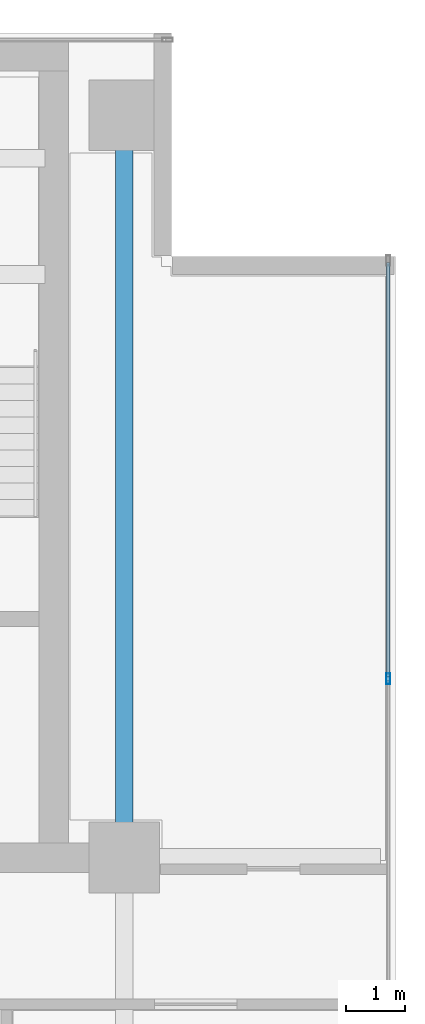
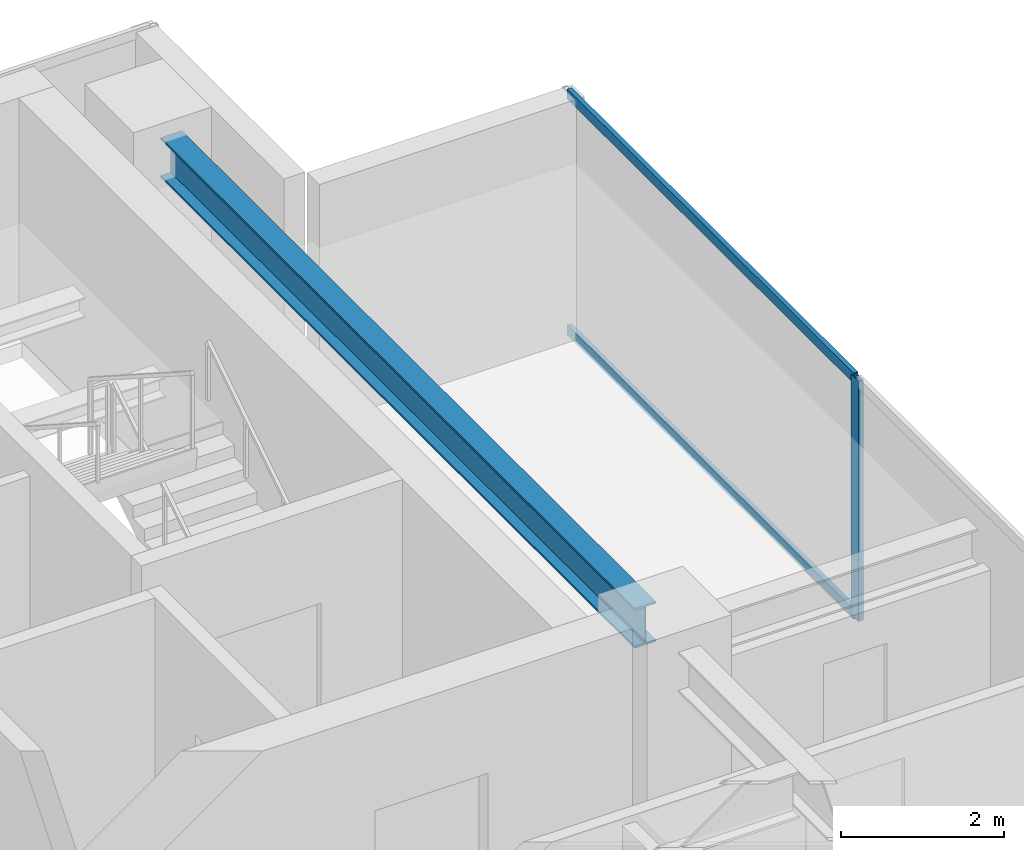
# One storey, part 10 of 21: 3 members, 1 beam, 1 element without a shape of its own.
"""IFC4 building model written with IfcOpenShell, lengths in metres."""

from ifc_helpers import new_model, si_unit, direction, frame, origin, origin_2d, place, context, subcontext, project, spatial, hollow_rectangle, i_section, extrude, source, transform, mapped, material, layer, layer_set, material_profile, profile_set, type_object, element, aggregate, save


model = new_model("IFC4")

# Units and contexts
model_context = context("Model", 3, precision=1e-05, world=origin(), true_north=direction((0.0, 1.0)))
body_context = subcontext(model_context, "Body", "Model", "MODEL_VIEW")
ifc_project = project(units=[si_unit("LENGTHUNIT", "METRE"), si_unit("AREAUNIT", "SQUARE_METRE"), si_unit("VOLUMEUNIT", "CUBIC_METRE"), si_unit("PLANEANGLEUNIT", "RADIAN"), si_unit("MASSUNIT", "GRAM", prefix="KILO")], contexts=[model_context])

# Site, building, storey
site_placement = place(None, origin())
site = spatial("IfcSite", under=ifc_project, at=site_placement, CompositionType="ELEMENT")
building_placement = place(site_placement, origin())
building = spatial("IfcBuilding", under=site, at=building_placement, Name="Sumidabori Civic Tower", CompositionType="ELEMENT")
storey_placement = place(building_placement, frame((0.0, 0.0, 290.0)))
storey = spatial("IfcBuildingStorey", under=building, at=storey_placement, Name="L76", CompositionType="ELEMENT", Elevation=290.0)

# Beam
ifc_material_1 = material(Name="Steel SN490", Category="steel")
ifc_material_profile_1 = material_profile(ifc_material_1, i_section(OverallWidth=0.300048828125, OverallDepth=0.60009765625, WebThickness=0.015380859375, FlangeThickness=0.030029296875, at=origin_2d()), Name="HE 600 B")
ifc_profile_set_1 = profile_set([ifc_material_profile_1], Name="Steel SN490")
beam_type = type_object("IfcBeamType", Name="BM-GIRD-600", PredefinedType="BEAM", material=ifc_profile_set_1)
shared_shape_1 = source(origin(), body_context, "Body", "SweptSolid", [
    extrude(i_section(OverallWidth=0.300048828125, OverallDepth=0.60009765625, WebThickness=0.015380859375, FlangeThickness=0.030029296875, at=origin_2d()), origin(), (0.0, 0.0, 1.0), 11.64013671875),
])
beam_placement = place(storey_placement, frame((16.800048828125, 10.679931640625, 3.0), z_axis=(0.0, 1.0, 0.0), x_axis=(-1.0, 0.0, 0.0)))
element("IfcBeam", 1, at=beam_placement, inside=storey, type_object=beam_type, Name="Primary Girder L76 GY-17", PredefinedType="BEAM", context=body_context, shape_type="MappedRepresentation", body=[
    mapped(shared_shape_1, transform((0.0, 0.0, 0.0), x_axis=(1.0, 0.0, 0.0), y_axis=(0.0, 1.0, 0.0), z_axis=(0.0, 0.0, 1.0), scale=1.0)),
])

# Curtain wall, members
ifc_material_2 = material(Name="Anodised Bronze Aluminium AW-6063-T6", Category="aluminium")
ifc_layer = layer(ifc_material_2, 0.179931640625, Name="Anodised Bronze Aluminium AW-6063-T6")
ifc_layer_set = layer_set([ifc_layer], Name="Anodised Bronze Aluminium AW-6063-T6")
curtain_wall_type = type_object("IfcCurtainWallType", Name="CW-SYS-6", PredefinedType="NOTDEFINED", material=ifc_layer_set)
curtain_wall_placement = place(storey_placement, origin())
curtain_wall = element("IfcCurtainWall", 2, at=curtain_wall_placement, inside=storey, type_object=curtain_wall_type, Name="Curtain Wall CW:L76:R04", PredefinedType="NOTDEFINED")
ifc_material_profile_2 = material_profile(ifc_material_2, hollow_rectangle(XDim=0.06494140625, YDim=0.14990234375, WallThickness=0.0048828125, at=origin_2d()), Name="ALU TRANSOM 150x65")
ifc_profile_set_2 = profile_set([ifc_material_profile_2], Name="Anodised Bronze Aluminium AW-6063-T6")
member_type_1 = type_object("IfcMemberType", Name="CW-TRN-150", PredefinedType="USERDEFINED", material=ifc_profile_set_2)
shared_shape_2 = source(origin(), body_context, "Body", "SweptSolid", [
    extrude(hollow_rectangle(XDim=0.06494140625, YDim=0.14990234375, WallThickness=0.0048828125, at=origin_2d()), origin(), (0.0, 0.0, 1.0), 7.030029296875),
])
member_1_placement = place(storey_placement, frame((21.280029296875, 13.27001953125, 0.032470703125), z_axis=(0.0, 1.0, 0.0), x_axis=(-1.0, 0.0, 0.0)))
member_1 = element("IfcMember", 3, at=member_1_placement, type_object=member_type_1, Name="CW-6 transom 4.1", ObjectType="TRANSOM", PredefinedType="USERDEFINED", context=body_context, shape_type="MappedRepresentation", body=[
    mapped(shared_shape_2, transform((0.0, 0.0, 0.0), x_axis=(1.0, 0.0, 0.0), y_axis=(0.0, 1.0, 0.0), z_axis=(0.0, 0.0, 1.0), scale=1.0)),
])
member_2_placement = place(storey_placement, frame((21.280029296875, 13.27001953125, 3.5673828125), z_axis=(0.0, 1.0, 0.0), x_axis=(-1.0, 0.0, 0.0)))
member_2 = element("IfcMember", 4, at=member_2_placement, type_object=member_type_1, Name="CW-6 transom 4.2", ObjectType="TRANSOM", PredefinedType="USERDEFINED", context=body_context, shape_type="MappedRepresentation", body=[
    mapped(shared_shape_2, transform((0.0, 0.0, 0.0), x_axis=(1.0, 0.0, 0.0), y_axis=(0.0, 1.0, 0.0), z_axis=(0.0, 0.0, 1.0), scale=1.0)),
])
ifc_material_profile_3 = material_profile(ifc_material_2, hollow_rectangle(XDim=0.070068359375, YDim=0.179931640625, WallThickness=0.006103515625, at=origin_2d()), Name="ALU MULLION 180x70")
ifc_profile_set_3 = profile_set([ifc_material_profile_3], Name="Anodised Bronze Aluminium AW-6063-T6")
member_type_2 = type_object("IfcMemberType", Name="CW-MUL-180", PredefinedType="MULLION", material=ifc_profile_set_3)
shared_shape_3 = source(origin(), body_context, "Body", "SweptSolid", [
    extrude(hollow_rectangle(XDim=0.070068359375, YDim=0.179931640625, WallThickness=0.006103515625, at=origin_2d()), origin(), (0.0, 0.0, 1.0), 3.60009765625),
])
member_3_placement = place(storey_placement, frame((21.280029296875, 13.235107421875, 0.0), z_axis=(0.0, 0.0, 1.0), x_axis=(-1.0, 0.0, 0.0)))
member_3 = element("IfcMember", 5, at=member_3_placement, type_object=member_type_2, Name="CW-6 mullion 4", PredefinedType="MULLION", context=body_context, shape_type="MappedRepresentation", body=[
    mapped(shared_shape_3, transform((0.0, 0.0, 0.0), x_axis=(1.0, 0.0, 0.0), y_axis=(0.0, 1.0, 0.0), z_axis=(0.0, 0.0, 1.0), scale=1.0)),
])
aggregate(curtain_wall, [member_3, member_1, member_2])

save(model, "model.ifc")
